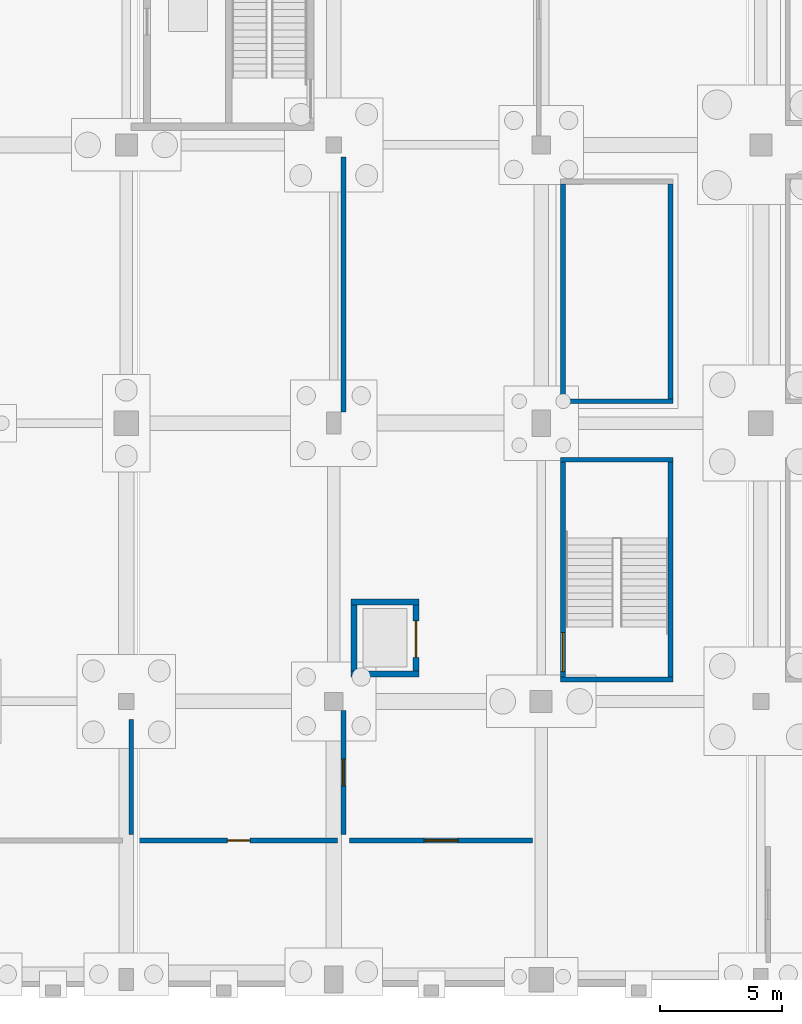
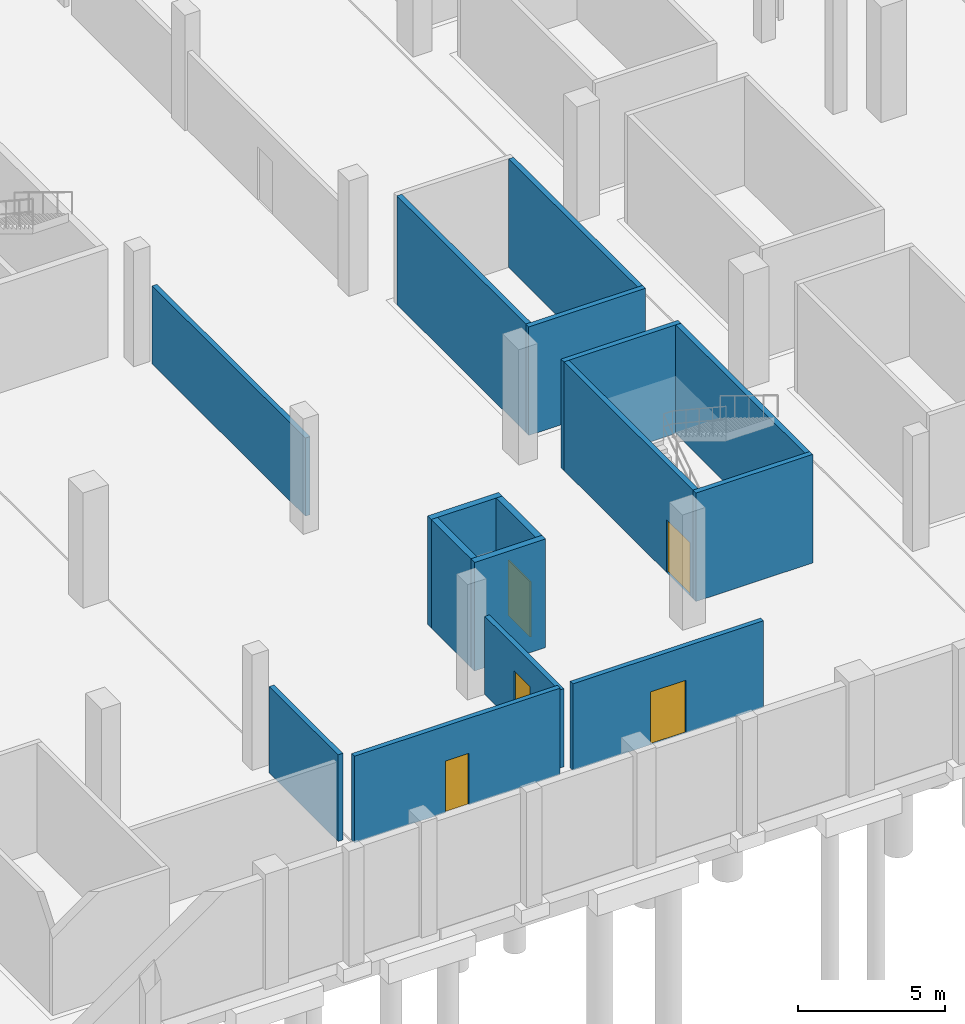
# One storey, part 24 of 34: 16 walls, 5 doors, 5 openings.
"""IFC4 building model written with IfcOpenShell, lengths in metres."""

from ifc_helpers import new_model, si_unit, direction, frame, frame_2d, origin, place, context, subcontext, project, spatial, rectangle, extrude, material, layer, layer_set, type_object, element, fill, save


model = new_model("IFC4")

# Units and contexts
model_context = context("Model", 3, precision=1e-05, world=origin(), true_north=direction((0.0, 1.0)))
body_context = subcontext(model_context, "Body", "Model", "MODEL_VIEW")
ifc_project = project(units=[si_unit("LENGTHUNIT", "METRE"), si_unit("AREAUNIT", "SQUARE_METRE"), si_unit("VOLUMEUNIT", "CUBIC_METRE"), si_unit("PLANEANGLEUNIT", "RADIAN"), si_unit("MASSUNIT", "GRAM", prefix="KILO"), si_unit("POWERUNIT", "WATT"), si_unit("THERMODYNAMICTEMPERATUREUNIT", "KELVIN")], contexts=[model_context])

# Site, building, storey
site_placement = place(None, origin())
site = spatial("IfcSite", under=ifc_project, at=site_placement, CompositionType="ELEMENT")
building_placement = place(site_placement, origin())
building = spatial("IfcBuilding", under=site, at=building_placement, Name="Kelmbourne Parkland Aquatics Centre", CompositionType="ELEMENT")
storey_placement = place(building_placement, frame((0.0, 0.0, -4.800048828125)))
storey = spatial("IfcBuildingStorey", under=building, at=storey_placement, Name="B1", CompositionType="ELEMENT", Elevation=-4.800048828125)

# Walls
ifc_material_1 = material(Name="Concrete C40/50", Category="concrete")
ifc_layer_1 = layer(ifc_material_1, 0.25)
ifc_layer_set_1 = layer_set([ifc_layer_1], Name="Concrete C40/50")
wall_type_1 = type_object("IfcWallType", Name="W-CORE-250", PredefinedType="SHEAR", material=ifc_layer_set_1)
for number, where, z_axis, x_axis, name in (
    (1, (111.199951171875, 13.324951171875, 0.0), (0.0, 0.0, 1.0), (1.0, 0.0, 0.0), "Goods lift south wall (B1)"),
    (2, (111.199951171875, 16.27490234375, 0.0), (0.0, 0.0, 1.0), (1.0, 0.0, 0.0), "Goods lift north wall (B1)"),
):
    element("IfcWall", number, at=place(storey_placement, frame(where, z_axis=z_axis, x_axis=x_axis)), inside=storey, type_object=wall_type_1, Name=name, PredefinedType="SHEAR", context=body_context, shape_type="SweptSolid", body=[
        extrude(rectangle(XDim=2.800048828125, YDim=0.25, at=frame_2d((1.39990234375, 0.0))), origin(), (0.0, 0.0, 1.0), 4.52001953125),
    ])
wall_1_placement = place(storey_placement, frame((111.324951171875, 13.449951171875, 0.0), z_axis=(0.0, 0.0, 1.0), x_axis=(0.0, 1.0, 0.0)))
element("IfcWall", 3, at=wall_1_placement, inside=storey, type_object=wall_type_1, Name="Goods lift west wall (B1)", PredefinedType="SHEAR", context=body_context, shape_type="SweptSolid", body=[
    extrude(rectangle(XDim=2.699951171875, YDim=0.25, at=frame_2d((1.35009765625, 0.0))), origin(), (0.0, 0.0, 1.0), 4.52001953125),
])

# Wall, opening, door
wall_2_placement = place(storey_placement, frame((113.875, 13.449951171875, 0.0), z_axis=(0.0, 0.0, 1.0), x_axis=(0.0, 1.0, 0.0)))
wall_2 = element("IfcWall", 4, at=wall_2_placement, inside=storey, type_object=wall_type_1, Name="Goods lift east wall (B1)", PredefinedType="SHEAR", context=body_context, shape_type="SweptSolid", body=[
    extrude(rectangle(XDim=2.699951171875, YDim=0.25, at=frame_2d((1.35009765625, 0.0))), origin(), (0.0, 0.0, 1.0), 4.52001953125),
])
opening_1_placement = place(wall_2_placement, frame((0.550048828125, 0.0, 0.0)))
opening_1 = element("IfcOpeningElement", 5, at=opening_1_placement, cuts=wall_2, Name="Opening LD03", PredefinedType="OPENING", context=body_context, shape_type="SweptSolid", body=[
    extrude(rectangle(XDim=1.5, YDim=2.300048828125, at=frame_2d((0.75, 1.14990234375))), frame((0.0, 0.136962890625, 0.0), z_axis=(0.0, -1.0, 0.0), x_axis=(1.0, 0.0, 0.0)), (0.0, 0.0, 1.0), 0.27392578125),
])
ifc_material_2 = material(Name="Marine-grade stainless steel and fire-rated hardwood doorset", Category="steel")
ifc_layer_2 = layer(ifc_material_2, 0.050048828125)
ifc_layer_set_2 = layer_set([ifc_layer_2], Name="Marine-grade stainless steel and fire-rated hardwood doorset")
door_type_1 = type_object("IfcDoorType", Name="DR-LD-150", OperationType="NOTDEFINED", PredefinedType="DOOR", material=ifc_layer_set_2)
door_1_placement = place(opening_1_placement, origin())
door_1 = element("IfcDoor", 6, at=door_1_placement, inside=storey, type_object=door_type_1, Name="Goods lift landing door LF06 (B1)", OperationType="SLIDING_TO_LEFT", OverallHeight=2.300048828125, OverallWidth=1.5, PredefinedType="DOOR", context=body_context, shape_type="SweptSolid", body=[
    extrude(rectangle(XDim=1.5, YDim=2.300048828125, at=frame_2d((0.75, 1.14990234375))), frame((0.0, 0.02490234375, 0.0), z_axis=(0.0, -1.0, 0.0), x_axis=(1.0, 0.0, 0.0)), (0.0, 0.0, 1.0), 0.050048828125),
])
fill(opening_1, door_1)

# Walls
ifc_material_3 = material(Name="Concrete blockwork C32/40", Category="masonry")
ifc_layer_3 = layer(ifc_material_3, 0.199951171875)
ifc_layer_set_3 = layer_set([ifc_layer_3], Name="Concrete blockwork C32/40")
wall_type_2 = type_object("IfcWallType", Name="W-FIRE-200", PredefinedType="SOLIDWALL", material=ifc_layer_set_3)
for number, where, z_axis, x_axis, name in (
    (7, (119.800048828125, 13.10009765625, 0.0), (0.0, 0.0, 1.0), (1.0, 0.0, 0.0), "South East Concourse Exit Stair south enclosure (B1)"),
    (8, (119.800048828125, 22.10009765625, 0.0), (0.0, 0.0, 1.0), (1.0, 0.0, 0.0), "South East Concourse Exit Stair north enclosure (B1)"),
):
    element("IfcWall", number, at=place(storey_placement, frame(where, z_axis=z_axis, x_axis=x_axis)), inside=storey, type_object=wall_type_2, Name=name, PredefinedType="SOLIDWALL", context=body_context, shape_type="SweptSolid", body=[
        extrude(rectangle(XDim=4.599853515625, YDim=0.199951171875, at=frame_2d((2.2998046875, 0.0))), origin(), (0.0, 0.0, 1.0), 4.52001953125),
    ])

# Wall, opening, door
wall_3_placement = place(storey_placement, frame((119.89990234375, 13.199951171875, 0.0), z_axis=(0.0, 0.0, 1.0), x_axis=(0.0, 1.0, 0.0)))
wall_3 = element("IfcWall", 9, at=wall_3_placement, inside=storey, type_object=wall_type_2, Name="South East Concourse Exit Stair west enclosure (B1)", PredefinedType="SOLIDWALL", context=body_context, shape_type="SweptSolid", body=[
    extrude(rectangle(XDim=8.800048828125, YDim=0.199951171875, at=frame_2d((4.39990234375, 0.0))), origin(), (0.0, 0.0, 1.0), 4.52001953125),
])
opening_2_placement = place(wall_3_placement, frame((0.219970703125, 0.0, 0.0)))
opening_2 = element("IfcOpeningElement", 10, at=opening_2_placement, cuts=wall_3, Name="Opening FD02", PredefinedType="OPENING", context=body_context, shape_type="SweptSolid", body=[
    extrude(rectangle(XDim=1.60009765625, YDim=2.199951171875, at=frame_2d((0.800048828125, 1.10009765625))), frame((0.0, 0.11181640625, 0.0), z_axis=(0.0, -1.0, 0.0), x_axis=(1.0, 0.0, 0.0)), (0.0, 0.0, 1.0), 0.223876953125),
])
ifc_layer_4 = layer(ifc_material_2, 0.050048828125)
ifc_layer_set_4 = layer_set([ifc_layer_4], Name="Marine-grade stainless steel and fire-rated hardwood doorset")
door_type_2 = type_object("IfcDoorType", Name="DR-FD-160", OperationType="NOTDEFINED", PredefinedType="DOOR", material=ifc_layer_set_4)
door_2_placement = place(opening_2_placement, origin())
door_2 = element("IfcDoor", 11, at=door_2_placement, inside=storey, type_object=door_type_2, Name="Exit stair fire door ST09 (B1)", OperationType="DOUBLE_DOOR_SINGLE_SWING", OverallHeight=2.199951171875, OverallWidth=1.60009765625, PredefinedType="DOOR", context=body_context, shape_type="SweptSolid", body=[
    extrude(rectangle(XDim=1.60009765625, YDim=2.199951171875, at=frame_2d((0.800048828125, 1.10009765625))), frame((0.0, 0.02490234375, 0.0), z_axis=(0.0, -1.0, 0.0), x_axis=(1.0, 0.0, 0.0)), (0.0, 0.0, 1.0), 0.050048828125),
])
fill(opening_2, door_2)

# Walls
wall_4_placement = place(storey_placement, frame((124.300048828125, 13.199951171875, 0.0), z_axis=(0.0, 0.0, 1.0), x_axis=(0.0, 1.0, 0.0)))
element("IfcWall", 12, at=wall_4_placement, inside=storey, type_object=wall_type_2, Name="South East Concourse Exit Stair east enclosure (B1)", PredefinedType="SOLIDWALL", context=body_context, shape_type="SweptSolid", body=[
    extrude(rectangle(XDim=8.800048828125, YDim=0.199951171875, at=frame_2d((4.39990234375, 0.0))), origin(), (0.0, 0.0, 1.0), 4.52001953125),
])
wall_5_placement = place(storey_placement, frame((119.800048828125, 24.5, 0.0), z_axis=(0.0, 0.0, 1.0), x_axis=(1.0, 0.0, 0.0)))
element("IfcWall", 13, at=wall_5_placement, inside=storey, type_object=wall_type_2, Name="East Club Terrace Exit Stair substructure wall S", PredefinedType="SOLIDWALL", context=body_context, shape_type="SweptSolid", body=[
    extrude(rectangle(XDim=4.599853515625, YDim=0.199951171875, at=frame_2d((2.2998046875, 0.0))), origin(), (0.0, 0.0, 1.0), 4.52001953125),
])
for number, where, z_axis, x_axis, name in (
    (14, (119.89990234375, 24.60009765625, 0.0), (0.0, 0.0, 1.0), (0.0, 1.0, 0.0), "East Club Terrace Exit Stair substructure wall W"),
    (15, (124.300048828125, 24.60009765625, 0.0), (0.0, 0.0, 1.0), (0.0, 1.0, 0.0), "East Club Terrace Exit Stair substructure wall E"),
):
    element("IfcWall", number, at=place(storey_placement, frame(where, z_axis=z_axis, x_axis=x_axis)), inside=storey, type_object=wall_type_2, Name=name, PredefinedType="SOLIDWALL", context=body_context, shape_type="SweptSolid", body=[
        extrude(rectangle(XDim=8.7998046875, YDim=0.199951171875, at=frame_2d((4.39990234375, 0.0))), origin(), (0.0, 0.0, 1.0), 4.52001953125),
    ])

# Wall, opening, door
ifc_layer_5 = layer(ifc_material_3, 0.18994140625)
ifc_layer_set_5 = layer_set([ifc_layer_5], Name="Concrete blockwork C32/40")
wall_type_3 = type_object("IfcWallType", Name="W-SOLID-190", PredefinedType="SOLIDWALL", material=ifc_layer_set_5)
wall_6_placement = place(storey_placement, frame((102.550048828125, 6.5, 0.0), z_axis=(0.0, 0.0, 1.0), x_axis=(1.0, 0.0, 0.0)))
wall_6 = element("IfcWall", 16, at=wall_6_placement, inside=storey, type_object=wall_type_3, Name="Interior partition PT-B1-014", PredefinedType="SOLIDWALL", context=body_context, shape_type="SweptSolid", body=[
    extrude(rectangle(XDim=8.099853515625, YDim=0.18994140625, at=frame_2d((4.0498046875, 0.0))), origin(), (0.0, 0.0, 1.0), 3.60498046875),
])
opening_3_placement = place(wall_6_placement, frame((3.590087890625, 0.0, 0.0)))
opening_3 = element("IfcOpeningElement", 17, at=opening_3_placement, cuts=wall_6, Name="Opening ID07", PredefinedType="OPENING", context=body_context, shape_type="SweptSolid", body=[
    extrude(rectangle(XDim=0.919921875, YDim=2.14990234375, at=frame_2d((0.4599609375, 1.074951171875))), frame((0.0, 0.10693359375, 0.0), z_axis=(0.0, -1.0, 0.0), x_axis=(1.0, 0.0, 0.0)), (0.0, 0.0, 1.0), 0.2138671875),
])
ifc_material_4 = material(Name="Marine-grade stainless steel and solid-core hardwood doorset", Category="timber")
ifc_layer_6 = layer(ifc_material_4, 0.050048828125)
ifc_layer_set_6 = layer_set([ifc_layer_6], Name="Marine-grade stainless steel and solid-core hardwood doorset")
door_type_3 = type_object("IfcDoorType", Name="DR-WC-092", OperationType="NOTDEFINED", PredefinedType="DOOR", material=ifc_layer_set_6)
door_3_placement = place(opening_3_placement, origin())
door_3 = element("IfcDoor", 18, at=door_3_placement, inside=storey, type_object=door_type_3, Name="Interior door ID07 (B1-009)", OperationType="SINGLE_SWING_LEFT", OverallHeight=2.14990234375, OverallWidth=0.919921875, PredefinedType="DOOR", context=body_context, shape_type="SweptSolid", body=[
    extrude(rectangle(XDim=0.919921875, YDim=2.14990234375, at=frame_2d((0.4599609375, 1.074951171875))), frame((0.0, 0.02490234375, 0.0), z_axis=(0.0, -1.0, 0.0), x_axis=(1.0, 0.0, 0.0)), (0.0, 0.0, 1.0), 0.050048828125),
])
fill(opening_3, door_3)

wall_7_placement = place(storey_placement, frame((111.14990234375, 6.5, 0.0), z_axis=(0.0, 0.0, 1.0), x_axis=(1.0, 0.0, 0.0)))
wall_7 = element("IfcWall", 19, at=wall_7_placement, inside=storey, type_object=wall_type_3, Name="Interior partition PT-B1-015", PredefinedType="SOLIDWALL", context=body_context, shape_type="SweptSolid", body=[
    extrude(rectangle(XDim=7.5, YDim=0.18994140625, at=frame_2d((3.75, 0.0))), origin(), (0.0, 0.0, 1.0), 3.60498046875),
])
opening_4_placement = place(wall_7_placement, frame((3.050048828125, 0.0, 0.0)))
opening_4 = element("IfcOpeningElement", 20, at=opening_4_placement, cuts=wall_7, Name="Opening PD01", PredefinedType="OPENING", context=body_context, shape_type="SweptSolid", body=[
    extrude(rectangle(XDim=1.39990234375, YDim=2.199951171875, at=frame_2d((0.699951171875, 1.10009765625))), frame((0.0, 0.10693359375, 0.0), z_axis=(0.0, -1.0, 0.0), x_axis=(1.0, 0.0, 0.0)), (0.0, 0.0, 1.0), 0.2138671875),
])
ifc_layer_7 = layer(ifc_material_2, 0.050048828125)
ifc_layer_set_7 = layer_set([ifc_layer_7], Name="Marine-grade stainless steel and fire-rated hardwood doorset")
door_type_4 = type_object("IfcDoorType", Name="DR-PLT-140", OperationType="NOTDEFINED", PredefinedType="DOOR", material=ifc_layer_set_7)
door_4_placement = place(opening_4_placement, origin())
door_4 = element("IfcDoor", 21, at=door_4_placement, inside=storey, type_object=door_type_4, Name="Interior door PD01 (B1-010)", OperationType="DOUBLE_DOOR_SINGLE_SWING", OverallHeight=2.199951171875, OverallWidth=1.39990234375, PredefinedType="DOOR", context=body_context, shape_type="SweptSolid", body=[
    extrude(rectangle(XDim=1.39990234375, YDim=2.199951171875, at=frame_2d((0.699951171875, 1.10009765625))), frame((0.0, 0.02490234375, 0.0), z_axis=(0.0, -1.0, 0.0), x_axis=(1.0, 0.0, 0.0)), (0.0, 0.0, 1.0), 0.050048828125),
])
fill(opening_4, door_4)

# Wall
wall_8_placement = place(storey_placement, frame((102.199951171875, 6.75, 0.0), z_axis=(0.0, 0.0, 1.0), x_axis=(0.0, 1.0, 0.0)))
element("IfcWall", 22, at=wall_8_placement, inside=storey, type_object=wall_type_3, Name="Interior partition PT-B1-018", PredefinedType="SOLIDWALL", context=body_context, shape_type="SweptSolid", body=[
    extrude(rectangle(XDim=4.699951171875, YDim=0.18994140625, at=frame_2d((2.35009765625, 0.0))), origin(), (0.0, 0.0, 1.0), 3.60498046875),
])

# Wall, opening, door
wall_9_placement = place(storey_placement, frame((110.89990234375, 6.75, 0.0), z_axis=(0.0, 0.0, 1.0), x_axis=(0.0, 1.0, 0.0)))
wall_9 = element("IfcWall", 23, at=wall_9_placement, inside=storey, type_object=wall_type_3, Name="Interior partition PT-B1-019", PredefinedType="SOLIDWALL", context=body_context, shape_type="SweptSolid", body=[
    extrude(rectangle(XDim=5.072998046875, YDim=0.18994140625, at=frame_2d((2.53662109375, 0.0))), origin(), (0.0, 0.0, 1.0), 3.255126953125),
])
opening_5_placement = place(wall_9_placement, frame((1.986572265625, 0.0, 0.0)))
opening_5 = element("IfcOpeningElement", 24, at=opening_5_placement, cuts=wall_9, Name="Opening FD03", PredefinedType="OPENING", context=body_context, shape_type="SweptSolid", body=[
    extrude(rectangle(XDim=1.10009765625, YDim=2.199951171875, at=frame_2d((0.550048828125, 1.10009765625))), frame((0.0, 0.10693359375, 0.0), z_axis=(0.0, -1.0, 0.0), x_axis=(1.0, 0.0, 0.0)), (0.0, 0.0, 1.0), 0.2138671875),
])
ifc_layer_8 = layer(ifc_material_2, 0.050048828125)
ifc_layer_set_8 = layer_set([ifc_layer_8], Name="Marine-grade stainless steel and fire-rated hardwood doorset")
door_type_5 = type_object("IfcDoorType", Name="DR-FD-110", OperationType="NOTDEFINED", PredefinedType="DOOR", material=ifc_layer_set_8)
door_5_placement = place(opening_5_placement, origin())
door_5 = element("IfcDoor", 25, at=door_5_placement, inside=storey, type_object=door_type_5, Name="Interior door FD03 (B1-012)", OperationType="SINGLE_SWING_LEFT", OverallHeight=2.199951171875, OverallWidth=1.10009765625, PredefinedType="DOOR", context=body_context, shape_type="SweptSolid", body=[
    extrude(rectangle(XDim=1.10009765625, YDim=2.199951171875, at=frame_2d((0.550048828125, 1.10009765625))), frame((0.0, 0.02490234375, 0.0), z_axis=(0.0, -1.0, 0.0), x_axis=(1.0, 0.0, 0.0)), (0.0, 0.0, 1.0), 0.050048828125),
])
fill(opening_5, door_5)

# Wall
wall_10_placement = place(storey_placement, frame((110.89990234375, 24.052001953125, 0.0), z_axis=(0.0, 0.0, 1.0), x_axis=(0.0, 1.0, 0.0)))
element("IfcWall", 26, at=wall_10_placement, inside=storey, type_object=wall_type_3, Name="Interior partition PT-B1-020", PredefinedType="SOLIDWALL", context=body_context, shape_type="SweptSolid", body=[
    extrude(rectangle(XDim=10.447998046875, YDim=0.18994140625, at=frame_2d((5.22412109375, 0.0))), origin(), (0.0, 0.0, 1.0), 3.255126953125),
])

save(model, "model.ifc")
